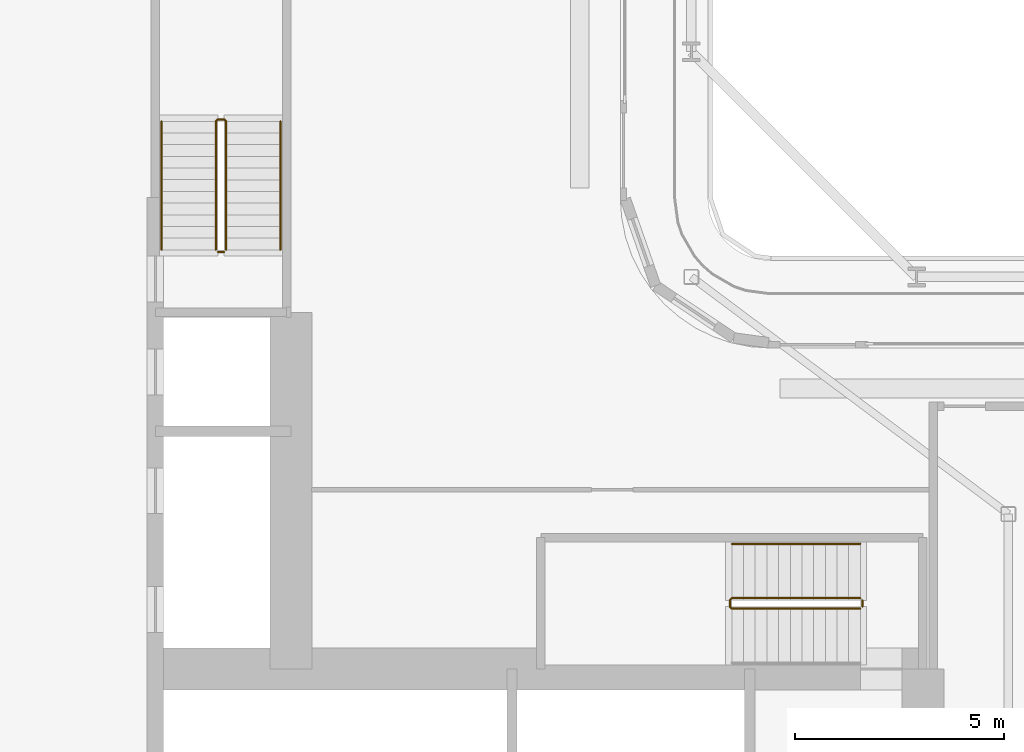
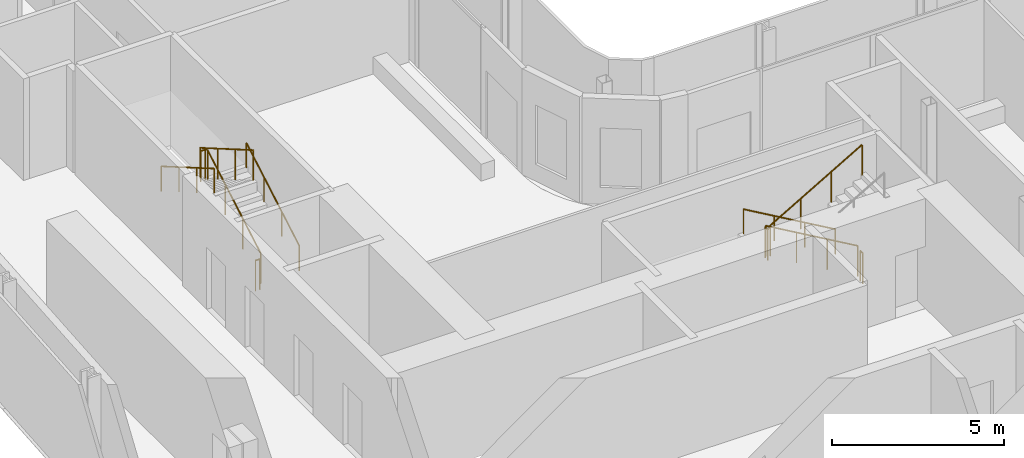
# One storey, part 24 of 29: 7 railings.
"""IFC4 building model written with IfcOpenShell, lengths in metres."""

import ifcopenshell
import ifcopenshell.guid

model = None  # the IFC model being written
_history = None  # IfcOwnerHistory: only IFC2X3 demands one
_inside = {}  # id of a spatial element -> (the spatial element, [elements in it])
_under = {}  # id of a project, library or spatial element -> (it, [spatial elements below it])
_declared = {}  # id of a project -> (the project, [libraries it declares])
_typed = {}  # id of a type object -> (the type object, [elements of that type])
_made_of = {}  # id of a material, layer set ... -> (it, [elements and type objects made of it])


def new_model(schema):
    """Start an empty IFC model of exactly this schema.

    Asked for "IFC4X3", IfcOpenShell would pick the latest addendum, in which some entities
    have other attributes; the version numbers below select the first issue.
    IFC2X3 requires an IfcOwnerHistory on every rooted entity: one is made here for all.
    """
    global model, _history
    if schema == "IFC4X3":
        model = ifcopenshell.file(schema_version=(4, 3, 0, 0))
    else:
        model = ifcopenshell.file(schema=schema)
    _inside.clear()
    _under.clear()
    _declared.clear()
    _typed.clear()
    _made_of.clear()
    _history = None
    if model.schema == "IFC2X3":
        org = make("IfcOrganization", Name="unknown")
        user = make(
            "IfcPersonAndOrganization",
            ThePerson=make("IfcPerson", FamilyName="unknown"),
            TheOrganization=org,
        )
        app = make(
            "IfcApplication",
            ApplicationDeveloper=org,
            Version="unknown",
            ApplicationFullName="unknown",
            ApplicationIdentifier="unknown",
        )
        _history = make(
            "IfcOwnerHistory",
            OwningUser=user,
            OwningApplication=app,
            ChangeAction="ADDED",
            CreationDate=0,
        )
    return model


def make(cls, **values):
    """One entity of the class cls with the attributes given. An attribute that is None is left unset."""
    return model.create_entity(
        cls, **{name: value for name, value in values.items() if value is not None}
    )


def rooted(cls, **values):
    """An entity with a GlobalId (a new one), such as an element, a storey or a relation."""
    return make(cls, GlobalId=ifcopenshell.guid.new(), OwnerHistory=_history, **values)


def si_unit(unit_type, name, prefix=None):
    """IfcSIUnit, for example si_unit("LENGTHUNIT", "METRE", prefix="MILLI")."""
    return make("IfcSIUnit", UnitType=unit_type, Prefix=prefix, Name=name)


def assignment(units):
    """IfcUnitAssignment: the units of a project."""
    return None if units is None else make("IfcUnitAssignment", Units=units)


def point(xyz):
    """IfcCartesianPoint."""
    return None if xyz is None else make("IfcCartesianPoint", Coordinates=xyz)


def direction(xyz):
    """IfcDirection."""
    return None if xyz is None else make("IfcDirection", DirectionRatios=xyz)


def frame(location, z_axis=None, x_axis=None):
    """IfcAxis2Placement3D, a coordinate frame: its origin and axes. An axis left out is left unset."""
    return make(
        "IfcAxis2Placement3D",
        Location=point(location),
        Axis=direction(z_axis),
        RefDirection=direction(x_axis),
    )


def frame_2d(location, x_axis=None):
    """IfcAxis2Placement2D, a coordinate frame in the plane: its origin and x axis."""
    return make(
        "IfcAxis2Placement2D", Location=point(location), RefDirection=direction(x_axis)
    )


def origin():
    """The frame at (0, 0, 0) with its axes left unset."""
    return frame((0.0, 0.0, 0.0))


def origin_2d():
    """The frame at (0, 0) in the plane with its x axis left unset."""
    return frame_2d((0.0, 0.0))


def place(relative_to, where):
    """IfcLocalPlacement: puts the frame where relative to a parent placement (None: the world)."""
    return make(
        "IfcLocalPlacement", PlacementRelTo=relative_to, RelativePlacement=where
    )


def context(
    kind, dimensions, precision=None, world=None, true_north=None, identifier=None
):
    """IfcGeometricRepresentationContext, for example the 3D "Model" context."""
    return make(
        "IfcGeometricRepresentationContext",
        ContextIdentifier=identifier,
        ContextType=kind,
        CoordinateSpaceDimension=dimensions,
        Precision=precision,
        WorldCoordinateSystem=world,
        TrueNorth=true_north,
    )


def subcontext(parent, identifier, kind, view, scale=None):
    """IfcGeometricRepresentationSubContext, for example "Body" below "Model"."""
    return make(
        "IfcGeometricRepresentationSubContext",
        ContextIdentifier=identifier,
        ContextType=kind,
        ParentContext=parent,
        TargetScale=scale,
        TargetView=view,
    )


def project(units=None, contexts=None):
    """IfcProject with its units and contexts."""
    return rooted(
        "IfcProject",
        Name="project",
        RepresentationContexts=contexts,
        UnitsInContext=assignment(units),
    )


def spatial(cls, under=None, at=None, **own):
    """A site, building, storey or space (cls), placed at a placement, below another one or the project."""
    s = rooted(cls, ObjectPlacement=at, **own)
    if under is not None:
        _under.setdefault(under.id(), (under, []))[1].append(s)
    return s


def profile(cls, at=None, kind="AREA", **sizes):
    """A parametric profile (cls). Its sizes go by their IFC names, for example OverallWidth=200.0."""
    return make(cls, ProfileType=kind, Position=at, **sizes)


def circle(**sizes):
    """IfcCircleProfileDef."""
    return profile("IfcCircleProfileDef", **sizes)


def extrude(swept, where, along, depth):
    """IfcExtrudedAreaSolid: the profile swept, set in the frame where, extruded along a direction by depth."""
    return make(
        "IfcExtrudedAreaSolid",
        SweptArea=swept,
        Position=where,
        ExtrudedDirection=direction(along),
        Depth=depth,
    )


def shape(context_of_items, identifier, shape_type, items):
    """IfcShapeRepresentation: the items that make up one representation, for example the "Body"."""
    return make(
        "IfcShapeRepresentation",
        ContextOfItems=context_of_items,
        RepresentationIdentifier=identifier,
        RepresentationType=shape_type,
        Items=items,
    )


def material(Name=None, Category=None):
    """IfcMaterial."""
    return make("IfcMaterial", Name=Name, Category=Category)


def made_of(thing, what):
    """Note that an element or type object is made of a material, layer set ...; save() writes the relation."""
    if what is not None:
        _made_of.setdefault(what.id(), (what, []))[1].append(thing)
    return thing


def type_object(cls, material=None, **own):
    """A type object (cls), such as IfcWallType, which elements share."""
    return made_of(rooted(cls, **own), material)


def element(
    cls,
    number,
    at=None,
    inside=None,
    cuts=None,
    type_object=None,
    material=None,
    context=None,
    identifier="Body",
    shape_type=None,
    held_by="IfcProductDefinitionShape",
    body=None,
    shapes=None,
    **own,
):
    """One element of the class cls, such as IfcWall. Its Tag is "e" and its number.

    at: its placement. inside: the storey or other place that contains it. cuts: it is an
    opening in that element (IfcRelVoidsElement). A single representation is given by context,
    identifier, shape_type and body (its items); several are given by shapes. held_by: the class
    of the entity that holds the representations. save() writes the other relations.
    """
    e = rooted(cls, Tag="e%d" % number, ObjectPlacement=at, **own)
    if body is not None:
        shapes = [shape(context, identifier, shape_type, body)]
    if shapes is not None:
        e.Representation = make(held_by, Representations=shapes)
    if inside is not None:
        _inside.setdefault(inside.id(), (inside, []))[1].append(e)
    if cuts is not None:
        rooted(
            "IfcRelVoidsElement", RelatingBuildingElement=cuts, RelatedOpeningElement=e
        )
    if type_object is not None:
        _typed.setdefault(type_object.id(), (type_object, []))[1].append(e)
    return made_of(e, material)


def aggregate(whole, parts):
    """IfcRelAggregates: a whole, such as a stair, and the parts it consists of."""
    return rooted("IfcRelAggregates", RelatingObject=whole, RelatedObjects=parts)


def save(model, path):
    """Write the relations noted so far, then the file.

    IfcRelAggregates (storeys below a building ...), IfcRelContainedInSpatialStructure (elements
    in a storey), IfcRelDefinesByType, IfcRelAssociatesMaterial and IfcRelDeclares: one each for
    every whole, place, type object, material and project.
    """
    for whole, parts in _under.values():
        aggregate(whole, parts)
    for where, things in _inside.values():
        rooted(
            "IfcRelContainedInSpatialStructure",
            RelatedElements=things,
            RelatingStructure=where,
        )
    for kind, things in _typed.values():
        rooted("IfcRelDefinesByType", RelatedObjects=things, RelatingType=kind)
    for what, things in _made_of.values():
        rooted("IfcRelAssociatesMaterial", RelatedObjects=things, RelatingMaterial=what)
    for by, libraries in _declared.values():
        rooted("IfcRelDeclares", RelatingContext=by, RelatedDefinitions=libraries)
    model.write(path)


model = new_model("IFC4")

# Units and contexts
model_context = context("Model", 3, precision=1e-05, world=origin(), true_north=direction((0.0, 1.0)))
body_context = subcontext(model_context, "Body", "Model", "MODEL_VIEW")
ifc_project = project(units=[si_unit("LENGTHUNIT", "METRE"), si_unit("AREAUNIT", "SQUARE_METRE"), si_unit("VOLUMEUNIT", "CUBIC_METRE"), si_unit("PLANEANGLEUNIT", "RADIAN"), si_unit("MASSUNIT", "GRAM", prefix="KILO")], contexts=[model_context])

# Site, building, storey
site_placement = place(None, origin())
site = spatial("IfcSite", under=ifc_project, at=site_placement, CompositionType="ELEMENT")
building_placement = place(site_placement, origin())
building = spatial("IfcBuilding", under=site, at=building_placement, Name="Kheshtan School and Residences Tower", CompositionType="ELEMENT")
storey_placement = place(building_placement, frame((0.0, 0.0, 69.5)))
storey = spatial("IfcBuildingStorey", under=building, at=storey_placement, Name="L16", CompositionType="ELEMENT", Elevation=69.5)

# Railings
ifc_material_1 = material(Name="Stainless steel balustrade", Category="steel")
railing_type_1 = type_object("IfcRailingType", Name="Stair guard 1100", PredefinedType="GUARDRAIL", material=ifc_material_1)
railing_1_placement = place(storey_placement, frame((51.64990234375, 37.89990234375, 0.16259765625)))
element("IfcRailing", 1, at=railing_1_placement, inside=storey, type_object=railing_type_1, Name="L16 ST1 stair guard 1", PredefinedType="GUARDRAIL", context=body_context, shape_type="SweptSolid", body=[
    extrude(circle(Radius=0.02392578125, at=origin_2d()), frame((0.0, 0.0, 1.076171875), z_axis=(-0.864903211148, 0.0, 0.501938676878), x_axis=(0.0, -1.0, 0.0)), (0.0, 0.0, 1.0), 3.560791015625),
    extrude(circle(Radius=0.02392578125, at=origin_2d()), frame((-3.079833984375, 0.0, 2.86328125), z_axis=(-0.708833529934, -0.705375805398, 0.0), x_axis=(0.705375805398, -0.708833529934, 0.0)), (0.0, 0.0, 1.0), 0.070556640625),
    extrude(circle(Radius=0.02392578125, at=origin_2d()), frame((-3.1298828125, -0.0498046875, 2.86328125), z_axis=(0.0, -1.0, 0.0), x_axis=(1.0, 0.0, 0.0)), (0.0, 0.0, 1.0), 0.150146484375),
    extrude(circle(Radius=0.02392578125, at=origin_2d()), frame((-3.1298828125, -0.199951171875, 2.86328125), z_axis=(0.282227285176, -0.282227285176, 0.916894497205), x_axis=(0.707106781187, 0.707106781187, 0.0)), (0.0, 0.0, 1.0), 0.17724609375),
    extrude(circle(Radius=0.02392578125, at=origin_2d()), frame((-3.079833984375, -0.25, 3.02587890625), z_axis=(0.864903211148, 0.0, 0.501938676878), x_axis=(0.0, 1.0, 0.0)), (0.0, 0.0, 1.0), 3.560791015625),
    extrude(circle(Radius=0.02099609375, at=origin_2d()), origin(), (0.0, 0.0, 1.0), 1.052001953125),
    extrude(circle(Radius=0.02099609375, at=origin_2d()), frame((-1.026611328125, 0.0, 0.595703125)), (0.0, 0.0, 1.0), 1.052001953125),
    extrude(circle(Radius=0.02099609375, at=origin_2d()), frame((-2.05322265625, 0.0, 1.191650390625)), (0.0, 0.0, 1.0), 1.052001953125),
    extrude(circle(Radius=0.02099609375, at=origin_2d()), frame((-3.079833984375, 0.0, 1.787353515625)), (0.0, 0.0, 1.0), 1.052001953125),
    extrude(circle(Radius=0.02099609375, at=origin_2d()), frame((-3.1298828125, -0.0498046875, 1.787353515625)), (0.0, 0.0, 1.0), 1.052001953125),
    extrude(circle(Radius=0.02099609375, at=origin_2d()), frame((-3.1298828125, -0.199951171875, 1.787353515625)), (0.0, 0.0, 1.0), 1.052001953125),
    extrude(circle(Radius=0.02099609375, at=origin_2d()), frame((-3.079833984375, -0.25, 1.949951171875)), (0.0, 0.0, 1.0), 1.052001953125),
    extrude(circle(Radius=0.02099609375, at=origin_2d()), frame((-2.05322265625, -0.25, 2.545654296875)), (0.0, 0.0, 1.0), 1.052001953125),
    extrude(circle(Radius=0.02099609375, at=origin_2d()), frame((-1.026611328125, -0.25, 3.1416015625)), (0.0, 0.0, 1.0), 1.052001953125),
    extrude(circle(Radius=0.02099609375, at=origin_2d()), frame((0.0, -0.25, 3.7373046875)), (0.0, 0.0, 1.0), 1.052001953125),
])
railing_2_placement = place(storey_placement, frame((51.699951171875, 37.85009765625, 0.0)))
element("IfcRailing", 2, at=railing_2_placement, inside=storey, type_object=railing_type_1, Name="L16 ST1 stair guard 2", PredefinedType="GUARDRAIL", context=body_context, shape_type="SweptSolid", body=[
    extrude(circle(Radius=0.02392578125, at=origin_2d()), frame((0.0, 0.0, 1.076171875), z_axis=(0.0, -1.0, 0.0), x_axis=(1.0, 0.0, 0.0)), (0.0, 0.0, 1.0), 0.150146484375),
    extrude(circle(Radius=0.02099609375, at=origin_2d()), origin(), (0.0, 0.0, 1.0), 1.052001953125),
    extrude(circle(Radius=0.02099609375, at=origin_2d()), frame((0.0, -0.150146484375, 0.0)), (0.0, 0.0, 1.0), 1.052001953125),
])
railing_3_placement = place(storey_placement, frame((36.449951171875, 46.25, 0.16259765625)))
element("IfcRailing", 3, at=railing_3_placement, inside=storey, type_object=railing_type_1, Name="L16 ST2 stair guard 1", PredefinedType="GUARDRAIL", context=body_context, shape_type="SweptSolid", body=[
    extrude(circle(Radius=0.02392578125, at=origin_2d()), frame((0.0, 0.0, 1.076171875), z_axis=(0.0, 0.864920483161, 0.501908913857), x_axis=(-1.0, 0.0, 0.0)), (0.0, 0.0, 1.0), 3.56103515625),
    extrude(circle(Radius=0.02392578125, at=origin_2d()), frame((0.0, 3.080078125, 2.86328125), z_axis=(-0.708833529934, 0.705375805398, 0.0), x_axis=(-0.705375805398, -0.708833529934, 0.0)), (0.0, 0.0, 1.0), 0.070556640625),
    extrude(circle(Radius=0.02392578125, at=origin_2d()), frame((-0.050048828125, 3.1298828125, 2.86328125), z_axis=(-1.0, 0.0, 0.0), x_axis=(0.0, -1.0, 0.0)), (0.0, 0.0, 1.0), 0.14990234375),
    extrude(circle(Radius=0.02392578125, at=origin_2d()), frame((-0.199951171875, 3.1298828125, 2.86328125), z_axis=(-0.282336740067, -0.280959487676, 0.917250092119), x_axis=(0.705375805398, -0.708833529934, 0.0)), (0.0, 0.0, 1.0), 0.17724609375),
    extrude(circle(Radius=0.02392578125, at=origin_2d()), frame((-0.25, 3.080078125, 3.02587890625), z_axis=(0.0, -0.864920483161, 0.501908913857), x_axis=(1.0, 0.0, 0.0)), (0.0, 0.0, 1.0), 3.56103515625),
    extrude(circle(Radius=0.02099609375, at=origin_2d()), origin(), (0.0, 0.0, 1.0), 1.052001953125),
    extrude(circle(Radius=0.02099609375, at=origin_2d()), frame((0.0, 1.026611328125, 0.595703125)), (0.0, 0.0, 1.0), 1.052001953125),
    extrude(circle(Radius=0.02099609375, at=origin_2d()), frame((0.0, 2.053466796875, 1.191650390625)), (0.0, 0.0, 1.0), 1.052001953125),
    extrude(circle(Radius=0.02099609375, at=origin_2d()), frame((0.0, 3.080078125, 1.787353515625)), (0.0, 0.0, 1.0), 1.052001953125),
    extrude(circle(Radius=0.02099609375, at=origin_2d()), frame((-0.050048828125, 3.1298828125, 1.787353515625)), (0.0, 0.0, 1.0), 1.052001953125),
    extrude(circle(Radius=0.02099609375, at=origin_2d()), frame((-0.199951171875, 3.1298828125, 1.787353515625)), (0.0, 0.0, 1.0), 1.052001953125),
    extrude(circle(Radius=0.02099609375, at=origin_2d()), frame((-0.25, 3.080078125, 1.949951171875)), (0.0, 0.0, 1.0), 1.052001953125),
    extrude(circle(Radius=0.02099609375, at=origin_2d()), frame((-0.25, 2.053466796875, 2.545654296875)), (0.0, 0.0, 1.0), 1.052001953125),
    extrude(circle(Radius=0.02099609375, at=origin_2d()), frame((-0.25, 1.026611328125, 3.1416015625)), (0.0, 0.0, 1.0), 1.052001953125),
    extrude(circle(Radius=0.02099609375, at=origin_2d()), frame((-0.25, 0.0, 3.7373046875)), (0.0, 0.0, 1.0), 1.052001953125),
])
railing_4_placement = place(storey_placement, frame((36.39990234375, 46.199951171875, 0.0)))
element("IfcRailing", 4, at=railing_4_placement, inside=storey, type_object=railing_type_1, Name="L16 ST2 stair guard 2", PredefinedType="GUARDRAIL", context=body_context, shape_type="SweptSolid", body=[
    extrude(circle(Radius=0.02392578125, at=origin_2d()), frame((0.0, 0.0, 1.076171875), z_axis=(-1.0, 0.0, 0.0), x_axis=(0.0, -1.0, 0.0)), (0.0, 0.0, 1.0), 0.14990234375),
    extrude(circle(Radius=0.02099609375, at=origin_2d()), origin(), (0.0, 0.0, 1.0), 1.052001953125),
    extrude(circle(Radius=0.02099609375, at=origin_2d()), frame((-0.14990234375, 0.0, 0.0)), (0.0, 0.0, 1.0), 1.052001953125),
])
ifc_material_2 = material(Name="Stainless steel handrail", Category="steel")
railing_type_2 = type_object("IfcRailingType", Name="Stair handrail 900", PredefinedType="HANDRAIL", material=ifc_material_2)
railing_5_placement = place(storey_placement, frame((51.64990234375, 39.199951171875, 0.16259765625)))
element("IfcRailing", 5, at=railing_5_placement, inside=storey, type_object=railing_type_2, Name="L16 ST1 stair handrail 1", PredefinedType="HANDRAIL", context=body_context, shape_type="SweptSolid", body=[
    extrude(circle(Radius=0.02392578125, at=origin_2d()), frame((0.0, 0.0, 0.8759765625), z_axis=(-0.864903211148, 0.0, 0.501938676878), x_axis=(0.0, -1.0, 0.0)), (0.0, 0.0, 1.0), 3.560791015625),
    extrude(circle(Radius=0.02099609375, at=origin_2d()), origin(), (0.0, 0.0, 1.0), 0.851806640625),
    extrude(circle(Radius=0.02099609375, at=origin_2d()), frame((-1.026611328125, 0.0, 0.595703125)), (0.0, 0.0, 1.0), 0.851806640625),
    extrude(circle(Radius=0.02099609375, at=origin_2d()), frame((-2.05322265625, 0.0, 1.191650390625)), (0.0, 0.0, 1.0), 0.851806640625),
    extrude(circle(Radius=0.02099609375, at=origin_2d()), frame((-3.079833984375, 0.0, 1.787353515625)), (0.0, 0.0, 1.0), 0.851806640625),
])
railing_6_placement = place(storey_placement, frame((37.75, 46.25, 0.16259765625)))
element("IfcRailing", 6, at=railing_6_placement, inside=storey, type_object=railing_type_2, Name="L16 ST2 stair handrail 1", PredefinedType="HANDRAIL", context=body_context, shape_type="SweptSolid", body=[
    extrude(circle(Radius=0.02392578125, at=origin_2d()), frame((0.0, 0.0, 0.8759765625), z_axis=(0.0, 0.864920483161, 0.501908913857), x_axis=(-1.0, 0.0, 0.0)), (0.0, 0.0, 1.0), 3.56103515625),
    extrude(circle(Radius=0.02099609375, at=origin_2d()), origin(), (0.0, 0.0, 1.0), 0.851806640625),
    extrude(circle(Radius=0.02099609375, at=origin_2d()), frame((0.0, 1.026611328125, 0.595703125)), (0.0, 0.0, 1.0), 0.851806640625),
    extrude(circle(Radius=0.02099609375, at=origin_2d()), frame((0.0, 2.053466796875, 1.191650390625)), (0.0, 0.0, 1.0), 0.851806640625),
    extrude(circle(Radius=0.02099609375, at=origin_2d()), frame((0.0, 3.080078125, 1.787353515625)), (0.0, 0.0, 1.0), 0.851806640625),
])
railing_7_placement = place(storey_placement, frame((34.89990234375, 49.330078125, 2.112548828125)))
element("IfcRailing", 7, at=railing_7_placement, inside=storey, type_object=railing_type_2, Name="L16 ST2 stair handrail 2", PredefinedType="HANDRAIL", context=body_context, shape_type="SweptSolid", body=[
    extrude(circle(Radius=0.02392578125, at=origin_2d()), frame((0.0, 0.0, 0.8759765625), z_axis=(0.0, -0.864920483161, 0.501908913857), x_axis=(1.0, 0.0, 0.0)), (0.0, 0.0, 1.0), 3.56103515625),
    extrude(circle(Radius=0.02099609375, at=origin_2d()), origin(), (0.0, 0.0, 1.0), 0.851806640625),
    extrude(circle(Radius=0.02099609375, at=origin_2d()), frame((0.0, -1.026611328125, 0.595703125)), (0.0, 0.0, 1.0), 0.851806640625),
    extrude(circle(Radius=0.02099609375, at=origin_2d()), frame((0.0, -2.053466796875, 1.191650390625)), (0.0, 0.0, 1.0), 0.851806640625),
    extrude(circle(Radius=0.02099609375, at=origin_2d()), frame((0.0, -3.080078125, 1.787353515625)), (0.0, 0.0, 1.0), 0.851806640625),
])

save(model, "model.ifc")
